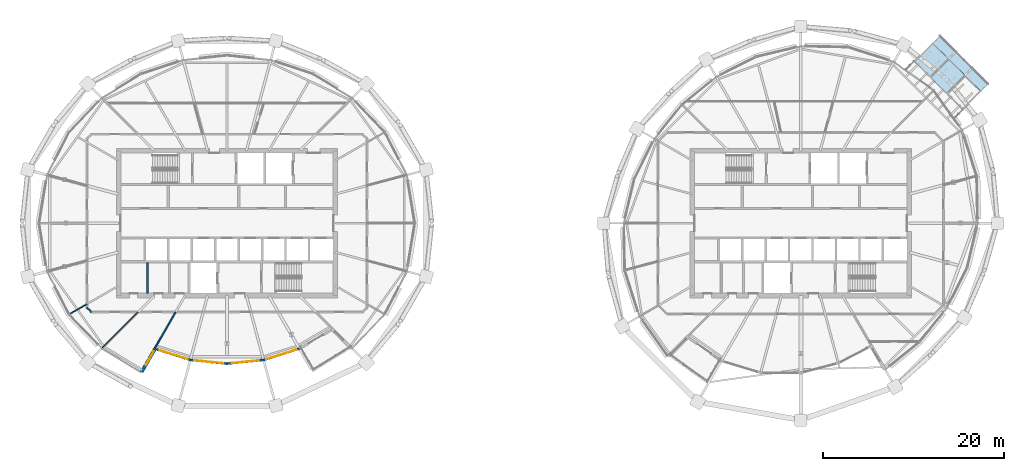
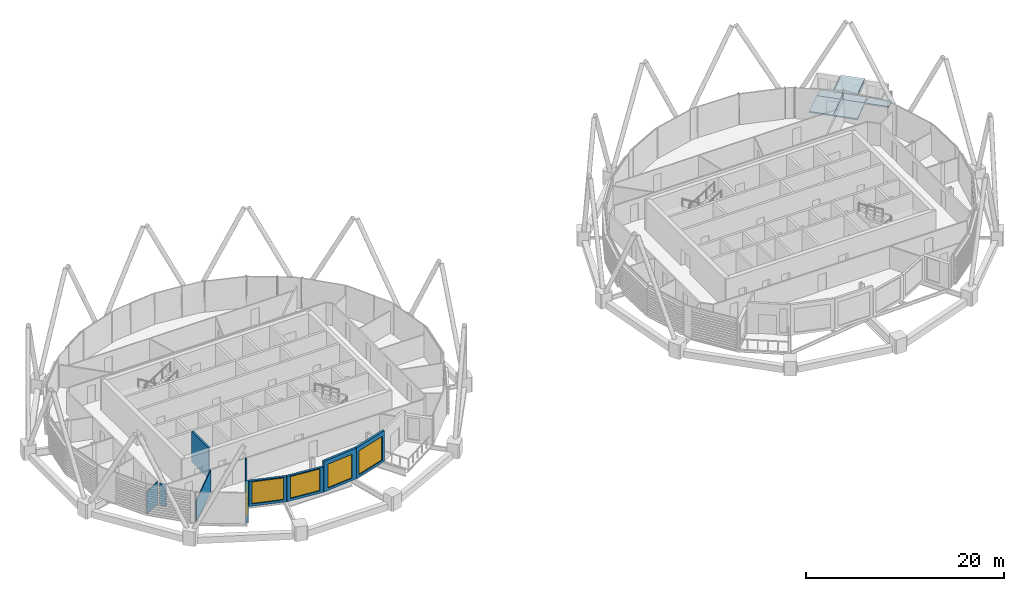
# One storey, part 20 of 34: 10 walls, 6 slabs, 5 windows, 5 openings.
"""IFC4 building model written with IfcOpenShell, lengths in metres."""

from ifc_helpers import new_model, si_unit, direction, frame, frame_2d, origin, place, context, subcontext, project, spatial, polyline, rectangle, outline, extrude, material, layer, layer_set, type_object, element, fill, save


model = new_model("IFC4")

# Units and contexts
model_context = context("Model", 3, precision=1e-05, world=origin(), true_north=direction((0.0, 1.0)))
body_context = subcontext(model_context, "Body", "Model", "MODEL_VIEW")
ifc_project = project(units=[si_unit("LENGTHUNIT", "METRE"), si_unit("AREAUNIT", "SQUARE_METRE"), si_unit("VOLUMEUNIT", "CUBIC_METRE"), si_unit("PLANEANGLEUNIT", "RADIAN"), si_unit("MASSUNIT", "GRAM", prefix="KILO")], contexts=[model_context])

# Site, building, storey
site_placement = place(None, origin())
site = spatial("IfcSite", under=ifc_project, at=site_placement, CompositionType="ELEMENT")
building_placement = place(site_placement, origin())
building = spatial("IfcBuilding", under=site, at=building_placement, Name="Rimbun Link Towers", CompositionType="ELEMENT")
storey_placement = place(building_placement, frame((0.0, 0.0, 221.89990234375)))
storey = spatial("IfcBuildingStorey", under=building, at=storey_placement, Name="L54", CompositionType="ELEMENT", Elevation=221.89990234375)

# Slabs
ifc_material_1 = material(Name="Insulated metal floor panel on steel frame", Category="steel")
ifc_layer_1 = layer(ifc_material_1, 0.159912109375)
ifc_layer_set_1 = layer_set([ifc_layer_1], Name="CAPSULE balcony panel 160")
slab_type_1 = type_object("IfcSlabType", Name="CAPSULE balcony panel 160", PredefinedType="FLOOR", material=ifc_layer_set_1)
slab_1_placement = place(storey_placement, frame((0.0, 0.0, -0.159912109375)))
element("IfcSlab", 1, at=slab_1_placement, inside=storey, type_object=slab_type_1, Name="CAPSULE D542.01 balcony floor", PredefinedType="FLOOR", context=body_context, shape_type="SweptSolid", body=[
    extrude(outline(polyline([(48.85546875, 19.0146484375), (47.158203125, 20.711669921875), (46.380615234375, 19.933837890625), (48.07763671875, 18.23681640625), (48.85546875, 19.0146484375)])), origin(), (0.0, 0.0, 1.0), 0.159912109375),
])
slab_2_placement = place(storey_placement, frame((0.0, 0.0, -0.159912109375)))
element("IfcSlab", 2, at=slab_2_placement, inside=storey, type_object=slab_type_1, Name="CAPSULE D542.02 balcony floor", PredefinedType="FLOOR", context=body_context, shape_type="SweptSolid", body=[
    extrude(outline(polyline([(50.658447265625, 17.21142578125), (48.96142578125, 18.908447265625), (48.18359375, 18.130615234375), (49.880615234375, 16.43359375), (50.658447265625, 17.21142578125)])), origin(), (0.0, 0.0, 1.0), 0.159912109375),
])
slab_3_placement = place(storey_placement, frame((0.0, 0.0, -0.159912109375)))
element("IfcSlab", 3, at=slab_3_placement, inside=storey, type_object=slab_type_1, Name="CAPSULE D542.03 balcony floor", PredefinedType="FLOOR", context=body_context, shape_type="SweptSolid", body=[
    extrude(outline(polyline([(52.461669921875, 15.408203125), (50.7646484375, 17.10546875), (49.98681640625, 16.32763671875), (51.683837890625, 14.630615234375), (52.461669921875, 15.408203125)])), origin(), (0.0, 0.0, 1.0), 0.159912109375),
])
ifc_material_2 = material(Name="Insulated metal floor panel on steel frame", Category="steel")
ifc_layer_2 = layer(ifc_material_2, 0.159912109375)
ifc_layer_set_2 = layer_set([ifc_layer_2], Name="CAPSULE floor panel 160")
slab_type_2 = type_object("IfcSlabType", Name="CAPSULE floor panel 160", PredefinedType="FLOOR", material=ifc_layer_set_2)
slab_4_placement = place(storey_placement, frame((0.0, 0.0, -0.159912109375)))
element("IfcSlab", 4, at=slab_4_placement, inside=storey, type_object=slab_type_2, Name="CAPSULE D542.01 floor panel", PredefinedType="FLOOR", context=body_context, shape_type="SweptSolid", body=[
    extrude(outline(polyline([(48.113037109375, 18.201416015625), (46.34521484375, 19.96923828125), (44.29443359375, 17.91845703125), (46.062255859375, 16.15087890625), (48.113037109375, 18.201416015625)])), origin(), (0.0, 0.0, 1.0), 0.159912109375),
])
slab_5_placement = place(storey_placement, frame((0.0, 0.0, -0.159912109375)))
element("IfcSlab", 5, at=slab_5_placement, inside=storey, type_object=slab_type_2, Name="CAPSULE D542.02 floor panel", PredefinedType="FLOOR", context=body_context, shape_type="SweptSolid", body=[
    extrude(outline(polyline([(49.916015625, 16.398193359375), (48.148193359375, 18.166015625), (46.09765625, 16.115478515625), (47.865478515625, 14.34765625), (49.916015625, 16.398193359375)])), origin(), (0.0, 0.0, 1.0), 0.159912109375),
])
ifc_material_3 = material(Name="Insulated metal roof panel with terracotta fascia", Category="masonry")
ifc_layer_3 = layer(ifc_material_3, 0.14990234375)
ifc_layer_set_3 = layer_set([ifc_layer_3], Name="CAPSULE roof panel 150")
slab_type_3 = type_object("IfcSlabType", Name="CAPSULE roof panel 150", PredefinedType="ROOF", material=ifc_layer_set_3)
slab_6_placement = place(storey_placement, frame((0.0, 0.0, 2.85009765625)))
element("IfcSlab", 6, at=slab_6_placement, inside=storey, type_object=slab_type_3, Name="CAPSULE D542.02 roof panel", PredefinedType="ROOF", context=body_context, shape_type="SweptSolid", body=[
    extrude(outline(polyline([(49.916015625, 16.398193359375), (48.148193359375, 18.166015625), (46.09765625, 16.115478515625), (47.865478515625, 14.34765625), (49.916015625, 16.398193359375)])), origin(), (0.0, 0.0, 1.0), 0.14990234375),
])

# Wall, opening, window
ifc_material_4 = material(Name="Dark enamelled glass spandrel on insulated aluminium backpan", Category="aluminium")
ifc_layer_4 = layer(ifc_material_4, 0.25)
ifc_layer_set_4 = layer_set([ifc_layer_4], Name="CS dark enamelled spandrel wall 250")
wall_type_1 = type_object("IfcWallType", Name="CS dark enamelled spandrel wall 250", PredefinedType="STANDARD", material=ifc_layer_set_4)
wall_1_placement = place(storey_placement, frame((-35.79931640625, -15.140625, 0.0), z_axis=(0.0, 0.0, 1.0), x_axis=(-0.953630833342, 0.300978792773, 0.0)))
wall_1 = element("IfcWall", 7, at=wall_1_placement, inside=storey, type_object=wall_type_1, Name="Crease spandrel wall", PredefinedType="STANDARD", context=body_context, shape_type="SweptSolid", body=[
    extrude(rectangle(XDim=3.90576171875, YDim=0.25, at=frame_2d((1.952880859375, 0.0))), origin(), (0.0, 0.0, 1.0), 3.1171875),
])
opening_1_placement = place(wall_1_placement, frame((0.327880859375, 0.0, 0.300048828125)))
opening_1 = element("IfcOpeningElement", 8, at=opening_1_placement, cuts=wall_1, Name="Opening WR32H270", PredefinedType="OPENING", context=body_context, shape_type="SweptSolid", body=[
    extrude(rectangle(XDim=3.25, YDim=2.699951171875, at=frame_2d((1.625, 1.35009765625))), frame((0.0, 0.135009765625, 0.0), z_axis=(0.0, -1.0, 0.0), x_axis=(1.0, 0.0, 0.0)), (0.0, 0.0, 1.0), 0.27001953125),
])
ifc_material_5 = material(Name="Aluminium framed fixed window, dark tinted low-e glass", Category="aluminium")
window_type_1 = type_object("IfcWindowType", Name="WR ribbon window 3250X2700", PartitioningType="SINGLE_PANEL", PredefinedType="WINDOW", material=ifc_material_5)
window_1_placement = place(opening_1_placement, origin())
window_1 = element("IfcWindow", 9, at=window_1_placement, inside=storey, type_object=window_type_1, Name="Crease ribbon window", OverallHeight=2.699951171875, OverallWidth=3.25, PartitioningType="SINGLE_PANEL", PredefinedType="WINDOW", context=body_context, shape_type="SweptSolid", body=[
    extrude(rectangle(XDim=3.25, YDim=2.699951171875, at=frame_2d((1.625, 1.35009765625))), frame((0.0, 0.030029296875, 0.0), z_axis=(0.0, -1.0, 0.0), x_axis=(1.0, 0.0, 0.0)), (0.0, 0.0, 1.0), 0.06005859375),
])
fill(opening_1, window_1)

wall_2_placement = place(storey_placement, frame((-31.75, -15.5458984375, 0.0), z_axis=(0.0, 0.0, 1.0), x_axis=(-0.995028870999, 0.099586876032, 0.0)))
wall_2 = element("IfcWall", 10, at=wall_2_placement, inside=storey, type_object=wall_type_1, Name="Crease spandrel wall", PredefinedType="STANDARD", context=body_context, shape_type="SweptSolid", body=[
    extrude(rectangle(XDim=4.069580078125, YDim=0.25, at=frame_2d((2.03466796875, 0.0))), origin(), (0.0, 0.0, 1.0), 3.1171875),
])
opening_2_placement = place(wall_2_placement, frame((0.40966796875, 0.0, 0.300048828125)))
opening_2 = element("IfcOpeningElement", 11, at=opening_2_placement, cuts=wall_2, Name="Opening WR32H270", PredefinedType="OPENING", context=body_context, shape_type="SweptSolid", body=[
    extrude(rectangle(XDim=3.25, YDim=2.699951171875, at=frame_2d((1.625, 1.35009765625))), frame((0.0, 0.135009765625, 0.0), z_axis=(0.0, -1.0, 0.0), x_axis=(1.0, 0.0, 0.0)), (0.0, 0.0, 1.0), 0.27001953125),
])
window_2_placement = place(opening_2_placement, origin())
window_2 = element("IfcWindow", 12, at=window_2_placement, inside=storey, type_object=window_type_1, Name="Crease ribbon window", OverallHeight=2.699951171875, OverallWidth=3.25, PartitioningType="SINGLE_PANEL", PredefinedType="WINDOW", context=body_context, shape_type="SweptSolid", body=[
    extrude(rectangle(XDim=3.25, YDim=2.699951171875, at=frame_2d((1.625, 1.35009765625))), frame((0.0, 0.030029296875, 0.0), z_axis=(0.0, -1.0, 0.0), x_axis=(1.0, 0.0, 0.0)), (0.0, 0.0, 1.0), 0.06005859375),
])
fill(opening_2, window_2)

wall_3_placement = place(storey_placement, frame((-27.70068359375, -15.140625, 0.0), z_axis=(0.0, 0.0, 1.0), x_axis=(-0.995028870999, -0.099586876032, 0.0)))
wall_3 = element("IfcWall", 13, at=wall_3_placement, inside=storey, type_object=wall_type_1, Name="Crease spandrel wall", PredefinedType="STANDARD", context=body_context, shape_type="SweptSolid", body=[
    extrude(rectangle(XDim=4.069580078125, YDim=0.25, at=frame_2d((2.03466796875, 0.0))), origin(), (0.0, 0.0, 1.0), 3.800048828125),
])
opening_3_placement = place(wall_3_placement, frame((0.545166015625, 0.0, 0.300048828125)))
opening_3 = element("IfcOpeningElement", 14, at=opening_3_placement, cuts=wall_3, Name="Opening WR30H295", PredefinedType="OPENING", context=body_context, shape_type="SweptSolid", body=[
    extrude(rectangle(XDim=3.0, YDim=2.949951171875, at=frame_2d((1.5, 1.47509765625))), frame((0.0, 0.135009765625, 0.0), z_axis=(0.0, -1.0, 0.0), x_axis=(1.0, 0.0, 0.0)), (0.0, 0.0, 1.0), 0.27001953125),
])
ifc_material_6 = material(Name="Aluminium framed fixed window, dark tinted low-e glass", Category="aluminium")
window_type_2 = type_object("IfcWindowType", Name="WR ribbon window 3000X2950", PartitioningType="SINGLE_PANEL", PredefinedType="WINDOW", material=ifc_material_6)
window_3_placement = place(opening_3_placement, origin())
window_3 = element("IfcWindow", 15, at=window_3_placement, inside=storey, type_object=window_type_2, Name="Crease ribbon window", OverallHeight=2.949951171875, OverallWidth=3.0, PartitioningType="SINGLE_PANEL", PredefinedType="WINDOW", context=body_context, shape_type="SweptSolid", body=[
    extrude(rectangle(XDim=3.0, YDim=2.949951171875, at=frame_2d((1.5, 1.47509765625))), frame((0.0, 0.030029296875, 0.0), z_axis=(0.0, -1.0, 0.0), x_axis=(1.0, 0.0, 0.0)), (0.0, 0.0, 1.0), 0.06005859375),
])
fill(opening_3, window_3)

wall_4_placement = place(storey_placement, frame((-23.74462890625, -13.89208984375, 0.0), z_axis=(0.0, 0.0, 1.0), x_axis=(-0.953634239099, -0.300968001651, 0.0)))
wall_4 = element("IfcWall", 16, at=wall_4_placement, inside=storey, type_object=wall_type_1, Name="Crease spandrel wall", PredefinedType="STANDARD", context=body_context, shape_type="SweptSolid", body=[
    extrude(rectangle(XDim=4.1484375, YDim=0.25, at=frame_2d((2.07421875, 0.0))), origin(), (0.0, 0.0, 1.0), 3.800048828125),
])
opening_4_placement = place(wall_4_placement, frame((0.32421875, 0.0, 0.300048828125)))
opening_4 = element("IfcOpeningElement", 17, at=opening_4_placement, cuts=wall_4, Name="Opening WR35H295", PredefinedType="OPENING", context=body_context, shape_type="SweptSolid", body=[
    extrude(rectangle(XDim=3.5, YDim=2.949951171875, at=frame_2d((1.75, 1.47509765625))), frame((0.0, 0.135009765625, 0.0), z_axis=(0.0, -1.0, 0.0), x_axis=(1.0, 0.0, 0.0)), (0.0, 0.0, 1.0), 0.27001953125),
])
ifc_material_7 = material(Name="Aluminium framed fixed window, dark tinted low-e glass", Category="aluminium")
window_type_3 = type_object("IfcWindowType", Name="WR ribbon window 3500X2950", PartitioningType="SINGLE_PANEL", PredefinedType="WINDOW", material=ifc_material_7)
window_4_placement = place(opening_4_placement, origin())
window_4 = element("IfcWindow", 18, at=window_4_placement, inside=storey, type_object=window_type_3, Name="Crease ribbon window", OverallHeight=2.949951171875, OverallWidth=3.5, PartitioningType="SINGLE_PANEL", PredefinedType="WINDOW", context=body_context, shape_type="SweptSolid", body=[
    extrude(rectangle(XDim=3.5, YDim=2.949951171875, at=frame_2d((1.75, 1.47509765625))), frame((0.0, 0.030029296875, 0.0), z_axis=(0.0, -1.0, 0.0), x_axis=(1.0, 0.0, 0.0)), (0.0, 0.0, 1.0), 0.06005859375),
])
fill(opening_4, window_4)

ifc_material_8 = material(Name="Dark enamelled glass spandrel on insulated aluminium backpan", Category="aluminium")
ifc_layer_5 = layer(ifc_material_8, 0.3701171875)
ifc_layer_set_5 = layer_set([ifc_layer_5], Name="CS dark enamelled spandrel wall 370")
wall_type_2 = type_object("IfcWallType", Name="CS dark enamelled spandrel wall 370", PredefinedType="STANDARD", material=ifc_layer_set_5)
wall_5_placement = place(storey_placement, frame((-39.64794921875, -13.8095703125, 0.0), z_axis=(0.0, 0.0, 1.0), x_axis=(-0.499992328818, -0.866029832698, 0.0)))
wall_5 = element("IfcWall", 19, at=wall_5_placement, inside=storey, type_object=wall_type_2, Name="Crease spandrel wall", PredefinedType="STANDARD", context=body_context, shape_type="SweptSolid", body=[
    extrude(rectangle(XDim=3.080078125, YDim=0.3701171875, at=frame_2d((1.5400390625, 0.0))), origin(), (0.0, 0.0, 1.0), 3.1171875),
])
opening_5_placement = place(wall_5_placement, frame((0.420654296875, 0.0, 0.300048828125)))
opening_5 = element("IfcOpeningElement", 20, at=opening_5_placement, cuts=wall_5, Name="Opening WR18H270", PredefinedType="OPENING", context=body_context, shape_type="SweptSolid", body=[
    extrude(rectangle(XDim=1.75, YDim=2.699951171875, at=frame_2d((0.875, 1.35009765625))), frame((0.0, 0.195068359375, 0.0), z_axis=(0.0, -1.0, 0.0), x_axis=(1.0, 0.0, 0.0)), (0.0, 0.0, 1.0), 0.39013671875),
])
ifc_material_9 = material(Name="Aluminium framed fixed window, dark tinted low-e glass", Category="aluminium")
window_type_4 = type_object("IfcWindowType", Name="WR ribbon window 1750X2700", PartitioningType="SINGLE_PANEL", PredefinedType="WINDOW", material=ifc_material_9)
window_5_placement = place(opening_5_placement, origin())
window_5 = element("IfcWindow", 21, at=window_5_placement, inside=storey, type_object=window_type_4, Name="Crease ribbon window", OverallHeight=2.699951171875, OverallWidth=1.75, PartitioningType="SINGLE_PANEL", PredefinedType="WINDOW", context=body_context, shape_type="SweptSolid", body=[
    extrude(rectangle(XDim=1.75, YDim=2.699951171875, at=frame_2d((0.875, 1.35009765625))), frame((0.0, 0.030029296875, 0.0), z_axis=(0.0, -1.0, 0.0), x_axis=(1.0, 0.0, 0.0)), (0.0, 0.0, 1.0), 0.06005859375),
])
fill(opening_5, window_5)

# Walls
ifc_material_10 = material(Name="Masonry blockwork", Category="masonry")
ifc_layer_6 = layer(ifc_material_10, 0.199951171875)
ifc_layer_set_6 = layer_set([ifc_layer_6], Name="Core partition 200")
wall_type_3 = type_object("IfcWallType", Name="Core partition 200", PredefinedType="PARTITIONING", material=ifc_layer_set_6)
wall_6_placement = place(storey_placement, frame((-40.550048828125, -4.39990234375, 0.0), z_axis=(0.0, 0.0, 1.0), x_axis=(0.0, -1.0, 0.0)))
element("IfcWall", 22, at=wall_6_placement, inside=storey, type_object=wall_type_3, Name="L54 T1 core wall C1", PredefinedType="PARTITIONING", context=body_context, shape_type="SweptSolid", body=[
    extrude(rectangle(XDim=3.35009765625, YDim=0.199951171875, at=frame_2d((1.675048828125, 0.0))), origin(), (0.0, 0.0, 1.0), 3.800048828125),
])
ifc_material_11 = material(Name="Plasterboard on steel stud, mineral wool", Category="steel")
ifc_layer_7 = layer(ifc_material_11, 0.14990234375)
ifc_layer_set_7 = layer_set([ifc_layer_7], Name="Corridor wall EI 30 150 mm")
wall_type_4 = type_object("IfcWallType", Name="Corridor wall EI 30 150 mm", PredefinedType="PARTITIONING", material=ifc_layer_set_7)
wall_7_placement = place(storey_placement, frame((-47.2548828125, -9.34375, 0.0), z_axis=(0.0, 0.0, 1.0), x_axis=(0.707106781187, -0.707106781187, 0.0)))
element("IfcWall", 23, at=wall_7_placement, inside=storey, type_object=wall_type_4, Name="Corridor wall EI 30 150 mm", PredefinedType="PARTITIONING", context=body_context, shape_type="SweptSolid", body=[
    extrude(rectangle(XDim=0.708740234375, YDim=0.14990234375, at=frame_2d((0.3544921875, 0.0))), origin(), (0.0, 0.0, 1.0), 2.72216796875),
])
ifc_material_12 = material(Name="Plasterboard on steel stud", Category="steel")
ifc_layer_8 = layer(ifc_material_12, 0.10009765625)
ifc_layer_set_8 = layer_set([ifc_layer_8], Name="Plasterboard partition 100 mm")
wall_type_5 = type_object("IfcWallType", Name="Plasterboard partition 100 mm", PredefinedType="PARTITIONING", material=ifc_layer_set_8)
wall_8_placement = place(storey_placement, frame((-49.168212890625, -10.056396484375, 0.0), z_axis=(0.0, 0.0, 1.0), x_axis=(0.866058613861, 0.499942474047, 0.0)))
element("IfcWall", 24, at=wall_8_placement, inside=storey, type_object=wall_type_5, Name="Plasterboard partition 100 mm", PredefinedType="PARTITIONING", context=body_context, shape_type="SweptSolid", body=[
    extrude(rectangle(XDim=2.209228515625, YDim=0.10009765625, at=frame_2d((1.1044921875, 0.0))), origin(), (0.0, 0.0, 1.0), 2.72216796875),
])
wall_9_placement = place(storey_placement, frame((-45.56494140625, -13.81494140625, 0.0), z_axis=(0.0, 0.0, 1.0), x_axis=(0.707106781187, 0.707106781187, 0.0)))
element("IfcWall", 25, at=wall_9_placement, inside=storey, type_object=wall_type_5, Name="Plasterboard partition 100 mm", PredefinedType="PARTITIONING", context=body_context, shape_type="SweptSolid", body=[
    extrude(rectangle(XDim=5.614501953125, YDim=0.10009765625, at=frame_2d((2.80712890625, 0.0))), origin(), (0.0, 0.0, 1.0), 2.72216796875),
])
ifc_material_13 = material(Name="Plasterboard on steel stud, mineral wool", Category="steel")
ifc_layer_9 = layer(ifc_material_13, 0.14990234375)
ifc_layer_set_9 = layer_set([ifc_layer_9], Name="Tenancy separation wall EI 60 150 mm")
wall_type_6 = type_object("IfcWallType", Name="Tenancy separation wall EI 60 150 mm", PredefinedType="PARTITIONING", material=ifc_layer_set_9)
wall_10_placement = place(storey_placement, frame((-37.43408203125, -9.844970703125, 0.0), z_axis=(0.0, 0.0, 1.0), x_axis=(-0.499967598186, -0.866044110172, 0.0)))
element("IfcWall", 26, at=wall_10_placement, inside=storey, type_object=wall_type_6, Name="Tenancy separation wall EI 60 150 mm", PredefinedType="PARTITIONING", context=body_context, shape_type="SweptSolid", body=[
    extrude(rectangle(XDim=4.540283203125, YDim=0.14990234375, at=frame_2d((2.27001953125, 0.0))), origin(), (0.0, 0.0, 1.0), 2.72216796875),
])

save(model, "model.ifc")
